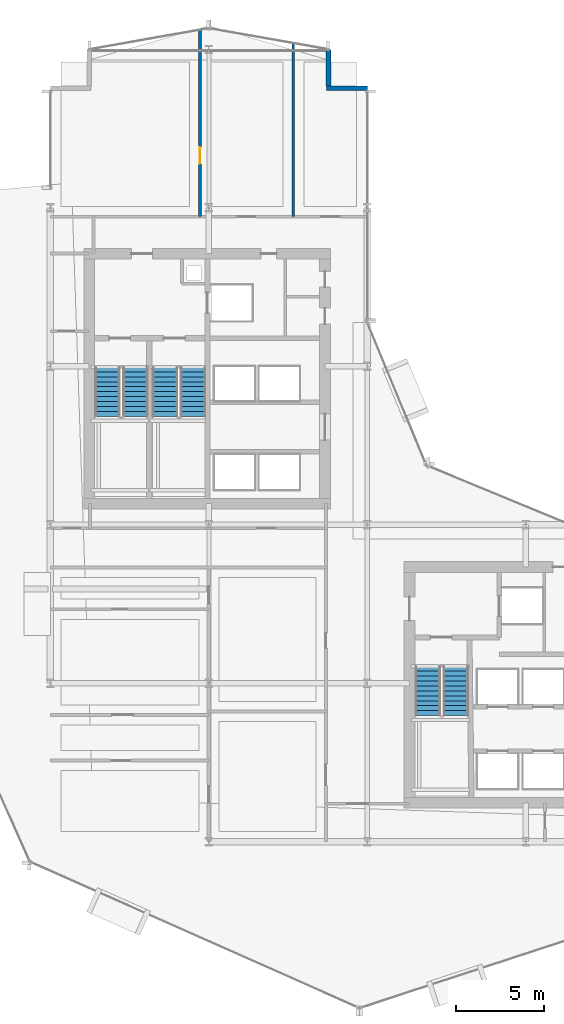
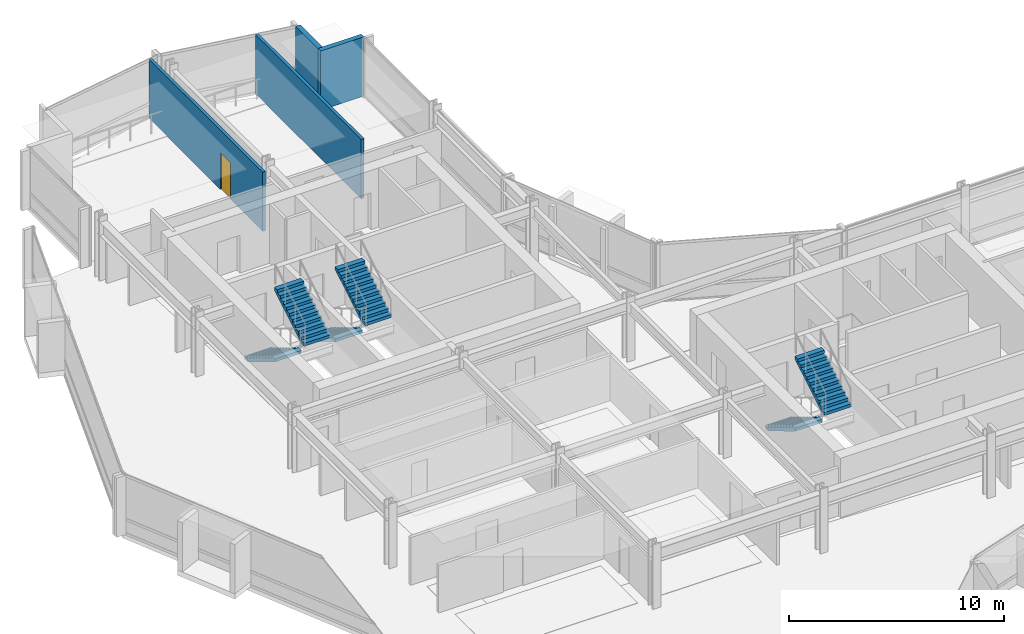
# One storey, part 29 of 34: 6 stair flights, 4 walls, 1 door, 1 opening, 3 elements without a shape of their own.
"""IFC4 building model written with IfcOpenShell, lengths in metres."""

import ifcopenshell
import ifcopenshell.guid

model = None  # the IFC model being written
_history = None  # IfcOwnerHistory: only IFC2X3 demands one
_inside = {}  # id of a spatial element -> (the spatial element, [elements in it])
_under = {}  # id of a project, library or spatial element -> (it, [spatial elements below it])
_declared = {}  # id of a project -> (the project, [libraries it declares])
_typed = {}  # id of a type object -> (the type object, [elements of that type])
_made_of = {}  # id of a material, layer set ... -> (it, [elements and type objects made of it])


def new_model(schema):
    """Start an empty IFC model of exactly this schema.

    Asked for "IFC4X3", IfcOpenShell would pick the latest addendum, in which some entities
    have other attributes; the version numbers below select the first issue.
    IFC2X3 requires an IfcOwnerHistory on every rooted entity: one is made here for all.
    """
    global model, _history
    if schema == "IFC4X3":
        model = ifcopenshell.file(schema_version=(4, 3, 0, 0))
    else:
        model = ifcopenshell.file(schema=schema)
    _inside.clear()
    _under.clear()
    _declared.clear()
    _typed.clear()
    _made_of.clear()
    _history = None
    if model.schema == "IFC2X3":
        org = make("IfcOrganization", Name="unknown")
        user = make(
            "IfcPersonAndOrganization",
            ThePerson=make("IfcPerson", FamilyName="unknown"),
            TheOrganization=org,
        )
        app = make(
            "IfcApplication",
            ApplicationDeveloper=org,
            Version="unknown",
            ApplicationFullName="unknown",
            ApplicationIdentifier="unknown",
        )
        _history = make(
            "IfcOwnerHistory",
            OwningUser=user,
            OwningApplication=app,
            ChangeAction="ADDED",
            CreationDate=0,
        )
    return model


def make(cls, **values):
    """One entity of the class cls with the attributes given. An attribute that is None is left unset."""
    return model.create_entity(
        cls, **{name: value for name, value in values.items() if value is not None}
    )


def rooted(cls, **values):
    """An entity with a GlobalId (a new one), such as an element, a storey or a relation."""
    return make(cls, GlobalId=ifcopenshell.guid.new(), OwnerHistory=_history, **values)


def si_unit(unit_type, name, prefix=None):
    """IfcSIUnit, for example si_unit("LENGTHUNIT", "METRE", prefix="MILLI")."""
    return make("IfcSIUnit", UnitType=unit_type, Prefix=prefix, Name=name)


def assignment(units):
    """IfcUnitAssignment: the units of a project."""
    return None if units is None else make("IfcUnitAssignment", Units=units)


def point(xyz):
    """IfcCartesianPoint."""
    return None if xyz is None else make("IfcCartesianPoint", Coordinates=xyz)


def direction(xyz):
    """IfcDirection."""
    return None if xyz is None else make("IfcDirection", DirectionRatios=xyz)


def frame(location, z_axis=None, x_axis=None):
    """IfcAxis2Placement3D, a coordinate frame: its origin and axes. An axis left out is left unset."""
    return make(
        "IfcAxis2Placement3D",
        Location=point(location),
        Axis=direction(z_axis),
        RefDirection=direction(x_axis),
    )


def frame_2d(location, x_axis=None):
    """IfcAxis2Placement2D, a coordinate frame in the plane: its origin and x axis."""
    return make(
        "IfcAxis2Placement2D", Location=point(location), RefDirection=direction(x_axis)
    )


def origin():
    """The frame at (0, 0, 0) with its axes left unset."""
    return frame((0.0, 0.0, 0.0))


def place(relative_to, where):
    """IfcLocalPlacement: puts the frame where relative to a parent placement (None: the world)."""
    return make(
        "IfcLocalPlacement", PlacementRelTo=relative_to, RelativePlacement=where
    )


def context(
    kind, dimensions, precision=None, world=None, true_north=None, identifier=None
):
    """IfcGeometricRepresentationContext, for example the 3D "Model" context."""
    return make(
        "IfcGeometricRepresentationContext",
        ContextIdentifier=identifier,
        ContextType=kind,
        CoordinateSpaceDimension=dimensions,
        Precision=precision,
        WorldCoordinateSystem=world,
        TrueNorth=true_north,
    )


def subcontext(parent, identifier, kind, view, scale=None):
    """IfcGeometricRepresentationSubContext, for example "Body" below "Model"."""
    return make(
        "IfcGeometricRepresentationSubContext",
        ContextIdentifier=identifier,
        ContextType=kind,
        ParentContext=parent,
        TargetScale=scale,
        TargetView=view,
    )


def project(units=None, contexts=None):
    """IfcProject with its units and contexts."""
    return rooted(
        "IfcProject",
        Name="project",
        RepresentationContexts=contexts,
        UnitsInContext=assignment(units),
    )


def spatial(cls, under=None, at=None, **own):
    """A site, building, storey or space (cls), placed at a placement, below another one or the project."""
    s = rooted(cls, ObjectPlacement=at, **own)
    if under is not None:
        _under.setdefault(under.id(), (under, []))[1].append(s)
    return s


def polyline(points):
    """IfcPolyline through the points."""
    return make("IfcPolyline", Points=[point(p) for p in points])


def profile(cls, at=None, kind="AREA", **sizes):
    """A parametric profile (cls). Its sizes go by their IFC names, for example OverallWidth=200.0."""
    return make(cls, ProfileType=kind, Position=at, **sizes)


def rectangle(**sizes):
    """IfcRectangleProfileDef."""
    return profile("IfcRectangleProfileDef", **sizes)


def outline(outer, holes=None, kind="AREA"):
    """IfcArbitraryClosedProfileDef: a profile drawn as a closed curve; with holes, ...WithVoids."""
    if holes is None:
        return make("IfcArbitraryClosedProfileDef", ProfileType=kind, OuterCurve=outer)
    return make(
        "IfcArbitraryProfileDefWithVoids",
        ProfileType=kind,
        OuterCurve=outer,
        InnerCurves=holes,
    )


def extrude(swept, where, along, depth):
    """IfcExtrudedAreaSolid: the profile swept, set in the frame where, extruded along a direction by depth."""
    return make(
        "IfcExtrudedAreaSolid",
        SweptArea=swept,
        Position=where,
        ExtrudedDirection=direction(along),
        Depth=depth,
    )


def shape(context_of_items, identifier, shape_type, items):
    """IfcShapeRepresentation: the items that make up one representation, for example the "Body"."""
    return make(
        "IfcShapeRepresentation",
        ContextOfItems=context_of_items,
        RepresentationIdentifier=identifier,
        RepresentationType=shape_type,
        Items=items,
    )


def material(Name=None, Category=None):
    """IfcMaterial."""
    return make("IfcMaterial", Name=Name, Category=Category)


def layer(
    of_material, thickness, ventilated=None, Name=None, Category=None, Priority=None
):
    """IfcMaterialLayer: one layer of a wall or slab, of a material (None: an air gap)."""
    return make(
        "IfcMaterialLayer",
        Material=of_material,
        LayerThickness=thickness,
        IsVentilated=ventilated,
        Name=Name,
        Category=Category,
        Priority=Priority,
    )


def layer_set(layers, Name=None):
    """IfcMaterialLayerSet."""
    return make("IfcMaterialLayerSet", MaterialLayers=layers, LayerSetName=Name)


def made_of(thing, what):
    """Note that an element or type object is made of a material, layer set ...; save() writes the relation."""
    if what is not None:
        _made_of.setdefault(what.id(), (what, []))[1].append(thing)
    return thing


def type_object(cls, material=None, **own):
    """A type object (cls), such as IfcWallType, which elements share."""
    return made_of(rooted(cls, **own), material)


def element(
    cls,
    number,
    at=None,
    inside=None,
    cuts=None,
    type_object=None,
    material=None,
    context=None,
    identifier="Body",
    shape_type=None,
    held_by="IfcProductDefinitionShape",
    body=None,
    shapes=None,
    **own,
):
    """One element of the class cls, such as IfcWall. Its Tag is "e" and its number.

    at: its placement. inside: the storey or other place that contains it. cuts: it is an
    opening in that element (IfcRelVoidsElement). A single representation is given by context,
    identifier, shape_type and body (its items); several are given by shapes. held_by: the class
    of the entity that holds the representations. save() writes the other relations.
    """
    e = rooted(cls, Tag="e%d" % number, ObjectPlacement=at, **own)
    if body is not None:
        shapes = [shape(context, identifier, shape_type, body)]
    if shapes is not None:
        e.Representation = make(held_by, Representations=shapes)
    if inside is not None:
        _inside.setdefault(inside.id(), (inside, []))[1].append(e)
    if cuts is not None:
        rooted(
            "IfcRelVoidsElement", RelatingBuildingElement=cuts, RelatedOpeningElement=e
        )
    if type_object is not None:
        _typed.setdefault(type_object.id(), (type_object, []))[1].append(e)
    return made_of(e, material)


def fill(opening, filler):
    """IfcRelFillsElement: the door or window that sits in an opening."""
    return rooted(
        "IfcRelFillsElement",
        RelatingOpeningElement=opening,
        RelatedBuildingElement=filler,
    )


def aggregate(whole, parts):
    """IfcRelAggregates: a whole, such as a stair, and the parts it consists of."""
    return rooted("IfcRelAggregates", RelatingObject=whole, RelatedObjects=parts)


def save(model, path):
    """Write the relations noted so far, then the file.

    IfcRelAggregates (storeys below a building ...), IfcRelContainedInSpatialStructure (elements
    in a storey), IfcRelDefinesByType, IfcRelAssociatesMaterial and IfcRelDeclares: one each for
    every whole, place, type object, material and project.
    """
    for whole, parts in _under.values():
        aggregate(whole, parts)
    for where, things in _inside.values():
        rooted(
            "IfcRelContainedInSpatialStructure",
            RelatedElements=things,
            RelatingStructure=where,
        )
    for kind, things in _typed.values():
        rooted("IfcRelDefinesByType", RelatedObjects=things, RelatingType=kind)
    for what, things in _made_of.values():
        rooted("IfcRelAssociatesMaterial", RelatedObjects=things, RelatingMaterial=what)
    for by, libraries in _declared.values():
        rooted("IfcRelDeclares", RelatingContext=by, RelatedDefinitions=libraries)
    model.write(path)


model = new_model("IFC4")

# Units and contexts
model_context = context("Model", 3, precision=1e-05, world=origin(), true_north=direction((0.0, 1.0)))
body_context = subcontext(model_context, "Body", "Model", "MODEL_VIEW")
ifc_project = project(units=[si_unit("LENGTHUNIT", "METRE"), si_unit("AREAUNIT", "SQUARE_METRE"), si_unit("VOLUMEUNIT", "CUBIC_METRE"), si_unit("PLANEANGLEUNIT", "RADIAN"), si_unit("MASSUNIT", "GRAM", prefix="KILO")], contexts=[model_context])

# Site, building, storey
site_placement = place(None, origin())
site = spatial("IfcSite", under=ifc_project, at=site_placement, CompositionType="ELEMENT")
building_placement = place(site_placement, origin())
building = spatial("IfcBuilding", under=site, at=building_placement, Name="Solvaryn Broadcast Tower", CompositionType="ELEMENT")
storey_placement = place(building_placement, frame((0.0, 0.0, 96.5)))
storey = spatial("IfcBuildingStorey", under=building, at=storey_placement, Name="L23", CompositionType="ELEMENT", Elevation=96.5)

# Walls
ifc_material_1 = material(Name="Concrete f'c 50 MPa", Category="concrete")
ifc_layer_1 = layer(ifc_material_1, 0.260009765625)
ifc_layer_set_1 = layer_set([ifc_layer_1], Name="EW-PIER-260")
wall_type_1 = type_object("IfcWallType", Name="EW-PIER-260", PredefinedType="SOLIDWALL", material=ifc_layer_set_1)
wall_1_placement = place(storey_placement, frame((24.800048828125, 54.0, 0.0), z_axis=(0.0, 0.0, 1.0), x_axis=(0.0, -1.0, 0.0)))
element("IfcWall", 1, at=wall_1_placement, inside=storey, type_object=wall_type_1, Name="L23 Notched Corner Pier Wall NNE1", PredefinedType="SOLIDWALL", context=body_context, shape_type="SweptSolid", body=[
    extrude(rectangle(XDim=2.080078125, YDim=0.260009765625, at=frame_2d((1.0400390625, 0.0))), origin(), (0.0, 0.0, 1.0), 3.3701171875),
])
wall_2_placement = place(storey_placement, frame((24.679931640625, 51.800048828125, 0.0), z_axis=(0.0, 0.0, 1.0), x_axis=(1.0, 0.0, 0.0)))
element("IfcWall", 2, at=wall_2_placement, inside=storey, type_object=wall_type_1, Name="L23 Notched Corner Pier Wall NNE2", PredefinedType="SOLIDWALL", context=body_context, shape_type="SweptSolid", body=[
    extrude(rectangle(XDim=2.320068359375, YDim=0.260009765625, at=frame_2d((1.16015625, 0.0))), origin(), (0.0, 0.0, 1.0), 3.3701171875),
])

# Wall, opening, door
ifc_material_2 = material(Name="Metal-Stud Gypsum Office Partition")
ifc_layer_2 = layer(ifc_material_2, 0.159912109375)
ifc_layer_set_2 = layer_set([ifc_layer_2], Name="IW-PART-160")
wall_type_2 = type_object("IfcWallType", Name="IW-PART-160", PredefinedType="PARTITIONING", material=ifc_layer_set_2)
wall_3_placement = place(storey_placement, frame((17.5, 44.5, 0.0), z_axis=(0.0, 0.0, 1.0), x_axis=(0.0, 1.0, 0.0)))
wall_3 = element("IfcWall", 3, at=wall_3_placement, inside=storey, type_object=wall_type_2, Name="L23 Interior Partition IW-L23-NW-V1", PredefinedType="PARTITIONING", context=body_context, shape_type="SweptSolid", body=[
    extrude(rectangle(XDim=10.612060546875, YDim=0.159912109375, at=frame_2d((5.30615234375, 0.0))), origin(), (0.0, 0.0, 1.0), 3.3701171875),
])
opening_placement = place(wall_3_placement, frame((3.0, 0.0, 0.0)))
opening = element("IfcOpeningElement", 4, at=opening_placement, cuts=wall_3, Name="Opening ID01", PredefinedType="OPENING", context=body_context, shape_type="SweptSolid", body=[
    extrude(rectangle(XDim=0.949951171875, YDim=2.10009765625, at=frame_2d((0.47509765625, 1.050048828125))), frame((0.0, 0.090087890625, 0.0), z_axis=(0.0, -1.0, 0.0), x_axis=(1.0, 0.0, 0.0)), (0.0, 0.0, 1.0), 0.179931640625),
])
ifc_material_3 = material(Name="Flush Acoustic Steel and Timber Door Assembly", Category="steel")
door_type = type_object("IfcDoorType", Name="ID-01-950X2100", OperationType="NOTDEFINED", PredefinedType="DOOR", material=ifc_material_3)
door_placement = place(opening_placement, origin())
door = element("IfcDoor", 5, at=door_placement, inside=storey, type_object=door_type, Name="L23 Door DR-L23-NW-C1", OperationType="SINGLE_SWING_RIGHT", OverallHeight=2.10009765625, OverallWidth=0.949951171875, PredefinedType="DOOR", context=body_context, shape_type="SweptSolid", body=[
    extrude(rectangle(XDim=0.949951171875, YDim=2.10009765625, at=frame_2d((0.47509765625, 1.050048828125))), frame((0.0, 0.02490234375, 0.0), z_axis=(0.0, -1.0, 0.0), x_axis=(1.0, 0.0, 0.0)), (0.0, 0.0, 1.0), 0.050048828125),
])
fill(opening, door)

# Wall
wall_4_placement = place(storey_placement, frame((22.800048828125, 44.5, 0.0), z_axis=(0.0, 0.0, 1.0), x_axis=(0.0, 1.0, 0.0)))
element("IfcWall", 6, at=wall_4_placement, inside=storey, type_object=wall_type_2, Name="L23 Interior Partition IW-L23-NW-V2", PredefinedType="PARTITIONING", context=body_context, shape_type="SweptSolid", body=[
    extrude(rectangle(XDim=9.85302734375, YDim=0.159912109375, at=frame_2d((4.926513671875, 0.0))), origin(), (0.0, 0.0, 1.0), 3.3701171875),
])

# Stair, stair flights
ifc_material_4 = material(Name="Concrete f'c 60 MPa", Category="concrete")
stair_type = type_object("IfcStairType", Name="ST-CORE", PredefinedType="HALF_TURN_STAIR", material=ifc_material_4)
stair_1_placement = place(storey_placement, origin())
stair_1 = element("IfcStair", 7, at=stair_1_placement, inside=storey, type_object=stair_type, Name="L23 ST1", PredefinedType="HALF_TURN_STAIR")
ifc_material_5 = material(Name="Concrete f'c 60 MPa", Category="concrete")
ifc_layer_3 = layer(ifc_material_5, 0.159912109375)
ifc_layer_set_3 = layer_set([ifc_layer_3], Name="SF-CORE")
stair_flight_type = type_object("IfcStairFlightType", Name="SF-CORE", PredefinedType="STRAIGHT", material=ifc_layer_set_3)
stair_flight_1_placement = place(storey_placement, frame((12.239990234375, 35.9599609375, 0.0), z_axis=(0.0, 0.0, 1.0), x_axis=(0.0, -1.0, 0.0)))
stair_flight_1 = element("IfcStairFlight", 8, at=stair_flight_1_placement, type_object=stair_flight_type, Name="ST1 flight 1", NumberOfRisers=11, NumberOfTreads=10, PredefinedType="STRAIGHT", RiserHeight=0.168181818, TreadLength=0.28, context=body_context, shape_type="SweptSolid", body=[
    extrude(outline(polyline([(0.0, 0.0), (0.0, 0.168212890625), (0.280029296875, 0.168212890625), (0.280029296875, 0.33642578125), (0.56005859375, 0.33642578125), (0.56005859375, 0.504638671875), (0.840087890625, 0.504638671875), (0.840087890625, 0.672607421875), (1.1201171875, 0.672607421875), (1.1201171875, 0.8408203125), (1.39990234375, 0.8408203125), (1.39990234375, 1.009033203125), (1.679931640625, 1.009033203125), (1.679931640625, 1.17724609375), (1.9599609375, 1.17724609375), (1.9599609375, 1.345458984375), (2.239990234375, 1.345458984375), (2.239990234375, 1.513671875), (2.52001953125, 1.513671875), (2.52001953125, 1.681884765625), (2.800048828125, 1.681884765625), (2.800048828125, 1.85009765625), (2.800048828125, 1.5068359375), (0.291015625, 0.0), (0.0, 0.0)])), frame((0.0, 0.719970703125, 0.0), z_axis=(0.0, -1.0, 0.0), x_axis=(1.0, 0.0, 0.0)), (0.0, 0.0, 1.0), 1.43994140625),
])
stair_flight_2_placement = place(storey_placement, frame((13.830078125, 33.159912109375, 1.85009765625), z_axis=(0.0, 0.0, 1.0), x_axis=(0.0, 1.0, 0.0)))
stair_flight_2 = element("IfcStairFlight", 9, at=stair_flight_2_placement, type_object=stair_flight_type, Name="ST1 flight 2", NumberOfRisers=11, NumberOfTreads=10, PredefinedType="STRAIGHT", RiserHeight=0.168181818, TreadLength=0.28, context=body_context, shape_type="SweptSolid", body=[
    extrude(outline(polyline([(0.0, 0.0), (0.0, 0.168212890625), (0.280029296875, 0.168212890625), (0.280029296875, 0.33642578125), (0.56005859375, 0.33642578125), (0.56005859375, 0.504638671875), (0.840087890625, 0.504638671875), (0.840087890625, 0.672607421875), (1.1201171875, 0.672607421875), (1.1201171875, 0.8408203125), (1.39990234375, 0.8408203125), (1.39990234375, 1.009033203125), (1.679931640625, 1.009033203125), (1.679931640625, 1.17724609375), (1.9599609375, 1.17724609375), (1.9599609375, 1.345458984375), (2.239990234375, 1.345458984375), (2.239990234375, 1.513671875), (2.52001953125, 1.513671875), (2.52001953125, 1.681884765625), (2.800048828125, 1.681884765625), (2.800048828125, 1.85009765625), (2.800048828125, 1.5068359375), (0.291015625, 0.0), (0.0, 0.0)])), frame((0.0, 0.719970703125, 0.0), z_axis=(0.0, -1.0, 0.0), x_axis=(1.0, 0.0, 0.0)), (0.0, 0.0, 1.0), 1.43994140625),
])
aggregate(stair_1, [stair_flight_1, stair_flight_2])

stair_2_placement = place(storey_placement, origin())
stair_2 = element("IfcStair", 10, at=stair_2_placement, inside=storey, type_object=stair_type, Name="L23 ST2", PredefinedType="HALF_TURN_STAIR")
stair_flight_3_placement = place(storey_placement, frame((15.52001953125, 35.9599609375, 0.0), z_axis=(0.0, 0.0, 1.0), x_axis=(0.0, -1.0, 0.0)))
stair_flight_3 = element("IfcStairFlight", 11, at=stair_flight_3_placement, type_object=stair_flight_type, Name="ST2 flight 1", NumberOfRisers=11, NumberOfTreads=10, PredefinedType="STRAIGHT", RiserHeight=0.168181818, TreadLength=0.28, context=body_context, shape_type="SweptSolid", body=[
    extrude(outline(polyline([(0.0, 0.0), (0.0, 0.168212890625), (0.280029296875, 0.168212890625), (0.280029296875, 0.33642578125), (0.56005859375, 0.33642578125), (0.56005859375, 0.504638671875), (0.840087890625, 0.504638671875), (0.840087890625, 0.672607421875), (1.1201171875, 0.672607421875), (1.1201171875, 0.8408203125), (1.39990234375, 0.8408203125), (1.39990234375, 1.009033203125), (1.679931640625, 1.009033203125), (1.679931640625, 1.17724609375), (1.9599609375, 1.17724609375), (1.9599609375, 1.345458984375), (2.239990234375, 1.345458984375), (2.239990234375, 1.513671875), (2.52001953125, 1.513671875), (2.52001953125, 1.681884765625), (2.800048828125, 1.681884765625), (2.800048828125, 1.85009765625), (2.800048828125, 1.5068359375), (0.291015625, 0.0), (0.0, 0.0)])), frame((0.0, 0.719970703125, 0.0), z_axis=(0.0, -1.0, 0.0), x_axis=(1.0, 0.0, 0.0)), (0.0, 0.0, 1.0), 1.43994140625),
])
stair_flight_4_placement = place(storey_placement, frame((17.110107421875, 33.159912109375, 1.85009765625), z_axis=(0.0, 0.0, 1.0), x_axis=(0.0, 1.0, 0.0)))
stair_flight_4 = element("IfcStairFlight", 12, at=stair_flight_4_placement, type_object=stair_flight_type, Name="ST2 flight 2", NumberOfRisers=11, NumberOfTreads=10, PredefinedType="STRAIGHT", RiserHeight=0.168181818, TreadLength=0.28, context=body_context, shape_type="SweptSolid", body=[
    extrude(outline(polyline([(0.0, 0.0), (0.0, 0.168212890625), (0.280029296875, 0.168212890625), (0.280029296875, 0.33642578125), (0.56005859375, 0.33642578125), (0.56005859375, 0.504638671875), (0.840087890625, 0.504638671875), (0.840087890625, 0.672607421875), (1.1201171875, 0.672607421875), (1.1201171875, 0.8408203125), (1.39990234375, 0.8408203125), (1.39990234375, 1.009033203125), (1.679931640625, 1.009033203125), (1.679931640625, 1.17724609375), (1.9599609375, 1.17724609375), (1.9599609375, 1.345458984375), (2.239990234375, 1.345458984375), (2.239990234375, 1.513671875), (2.52001953125, 1.513671875), (2.52001953125, 1.681884765625), (2.800048828125, 1.681884765625), (2.800048828125, 1.85009765625), (2.800048828125, 1.5068359375), (0.291015625, 0.0), (0.0, 0.0)])), frame((0.0, 0.719970703125, 0.0), z_axis=(0.0, -1.0, 0.0), x_axis=(1.0, 0.0, 0.0)), (0.0, 0.0, 1.0), 1.43994140625),
])
aggregate(stair_2, [stair_flight_3, stair_flight_4])

stair_3_placement = place(storey_placement, origin())
stair_3 = element("IfcStair", 13, at=stair_3_placement, inside=storey, type_object=stair_type, Name="L23 ST3", PredefinedType="HALF_TURN_STAIR")
stair_flight_5_placement = place(storey_placement, frame((30.43994140625, 18.9599609375, 0.0), z_axis=(0.0, 0.0, 1.0), x_axis=(0.0, -1.0, 0.0)))
stair_flight_5 = element("IfcStairFlight", 14, at=stair_flight_5_placement, type_object=stair_flight_type, Name="ST3 flight 1", NumberOfRisers=11, NumberOfTreads=10, PredefinedType="STRAIGHT", RiserHeight=0.168181818, TreadLength=0.28, context=body_context, shape_type="SweptSolid", body=[
    extrude(outline(polyline([(0.0, 0.0), (0.0, 0.168212890625), (0.280029296875, 0.168212890625), (0.280029296875, 0.33642578125), (0.56005859375, 0.33642578125), (0.56005859375, 0.504638671875), (0.840087890625, 0.504638671875), (0.840087890625, 0.672607421875), (1.1201171875, 0.672607421875), (1.1201171875, 0.8408203125), (1.39990234375, 0.8408203125), (1.39990234375, 1.009033203125), (1.679931640625, 1.009033203125), (1.679931640625, 1.17724609375), (1.9599609375, 1.17724609375), (1.9599609375, 1.345458984375), (2.239990234375, 1.345458984375), (2.239990234375, 1.513671875), (2.52001953125, 1.513671875), (2.52001953125, 1.681884765625), (2.800048828125, 1.681884765625), (2.800048828125, 1.85009765625), (2.800048828125, 1.5068359375), (0.291015625, 0.0), (0.0, 0.0)])), frame((0.0, 0.719970703125, 0.0), z_axis=(0.0, -1.0, 0.0), x_axis=(1.0, 0.0, 0.0)), (0.0, 0.0, 1.0), 1.43994140625),
])
stair_flight_6_placement = place(storey_placement, frame((32.030029296875, 16.159912109375, 1.85009765625), z_axis=(0.0, 0.0, 1.0), x_axis=(0.0, 1.0, 0.0)))
stair_flight_6 = element("IfcStairFlight", 15, at=stair_flight_6_placement, type_object=stair_flight_type, Name="ST3 flight 2", NumberOfRisers=11, NumberOfTreads=10, PredefinedType="STRAIGHT", RiserHeight=0.168181818, TreadLength=0.28, context=body_context, shape_type="SweptSolid", body=[
    extrude(outline(polyline([(0.0, 0.0), (0.0, 0.168212890625), (0.280029296875, 0.168212890625), (0.280029296875, 0.33642578125), (0.56005859375, 0.33642578125), (0.56005859375, 0.504638671875), (0.840087890625, 0.504638671875), (0.840087890625, 0.672607421875), (1.1201171875, 0.672607421875), (1.1201171875, 0.8408203125), (1.39990234375, 0.8408203125), (1.39990234375, 1.009033203125), (1.679931640625, 1.009033203125), (1.679931640625, 1.17724609375), (1.9599609375, 1.17724609375), (1.9599609375, 1.345458984375), (2.239990234375, 1.345458984375), (2.239990234375, 1.513671875), (2.52001953125, 1.513671875), (2.52001953125, 1.681884765625), (2.800048828125, 1.681884765625), (2.800048828125, 1.85009765625), (2.800048828125, 1.5068359375), (0.291015625, 0.0), (0.0, 0.0)])), frame((0.0, 0.719970703125, 0.0), z_axis=(0.0, -1.0, 0.0), x_axis=(1.0, 0.0, 0.0)), (0.0, 0.0, 1.0), 1.43994140625),
])
aggregate(stair_3, [stair_flight_5, stair_flight_6])

save(model, "model.ifc")
